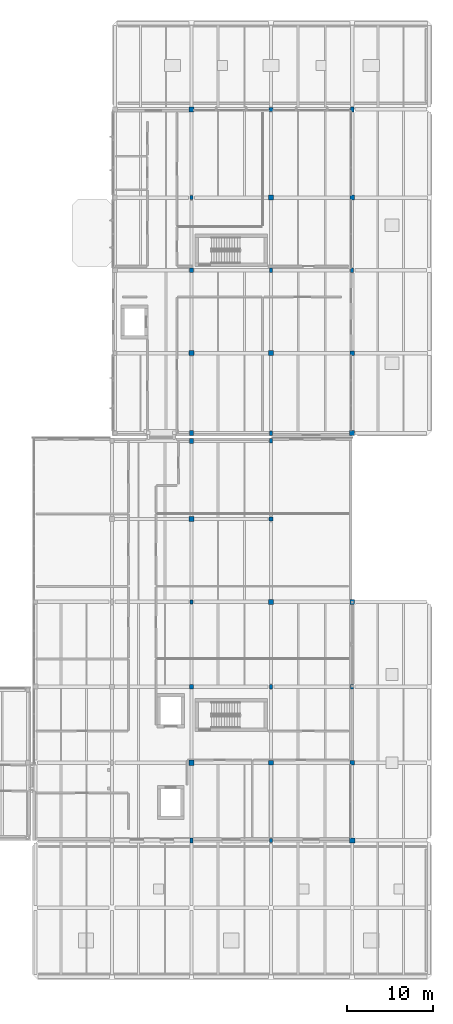
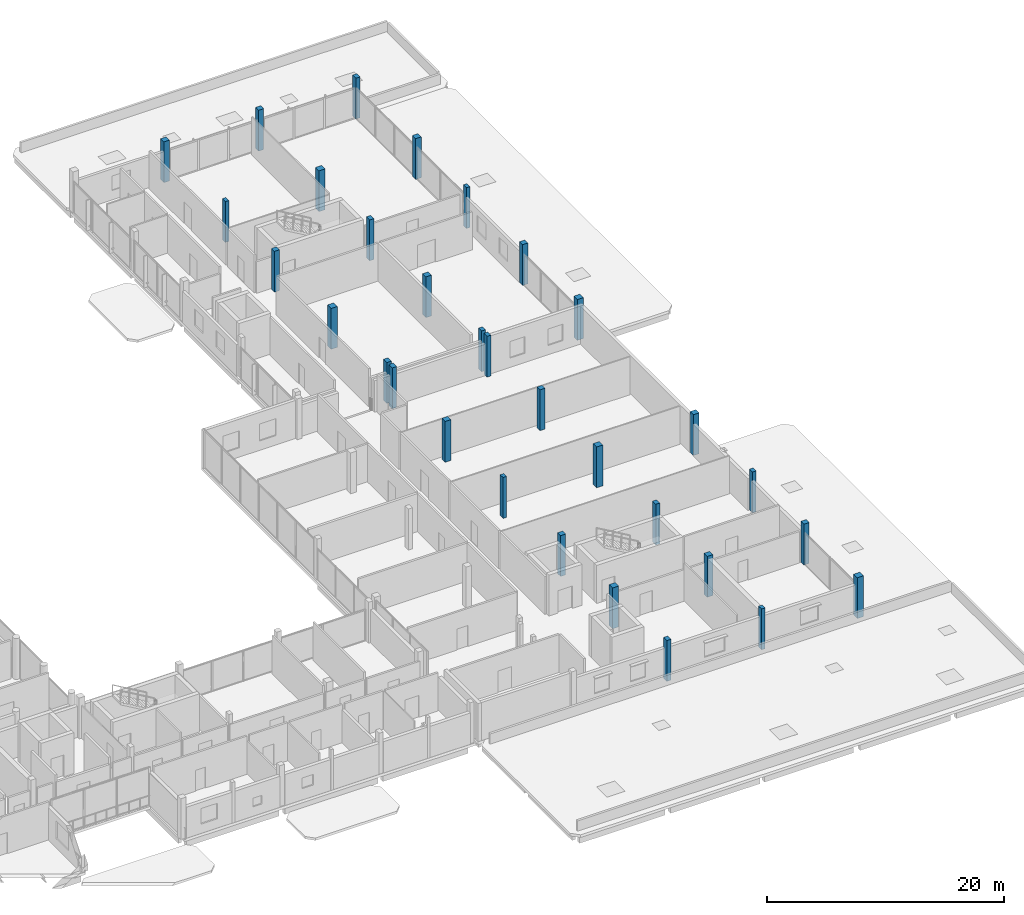
# One storey, part 4 of 66: 31 columns.
"""IFC4 building model written with IfcOpenShell, lengths in metres."""

from ifc_helpers import new_model, si_unit, direction, frame, origin, origin_2d, place, context, subcontext, project, spatial, rectangle, extrude, material, material_profile, profile_set, type_object, element, save


model = new_model("IFC4")

# Units and contexts
model_context = context("Model", 3, precision=1e-05, world=origin(), true_north=direction((0.0, 1.0)))
body_context = subcontext(model_context, "Body", "Model", "MODEL_VIEW")
ifc_project = project(units=[si_unit("LENGTHUNIT", "METRE"), si_unit("AREAUNIT", "SQUARE_METRE"), si_unit("VOLUMEUNIT", "CUBIC_METRE"), si_unit("PLANEANGLEUNIT", "RADIAN"), si_unit("MASSUNIT", "GRAM", prefix="KILO")], contexts=[model_context])

# Site, building, storey
site_placement = place(None, origin())
site = spatial("IfcSite", under=ifc_project, at=site_placement, CompositionType="ELEMENT")
building_placement = place(site_placement, origin())
building = spatial("IfcBuilding", under=site, at=building_placement, Name="Birchvale Park Specialist Clinic", CompositionType="ELEMENT")
storey_placement = place(building_placement, frame((0.0, 0.0, 5.39990234375)))
storey = spatial("IfcBuildingStorey", under=building, at=storey_placement, Name="L01", CompositionType="ELEMENT", Elevation=5.39990234375)

# Columns
ifc_material = material(Name="Concrete C40/50", Category="concrete")
ifc_material_profile_1 = material_profile(ifc_material, rectangle(XDim=0.580078125, YDim=0.580078125, at=origin_2d()), Name="RC-580x580")
ifc_profile_set_1 = profile_set([ifc_material_profile_1], Name="Concrete C40/50")
column_type_1 = type_object("IfcColumnType", Name="COL-EXT-C03", PredefinedType="COLUMN", material=ifc_profile_set_1)
column_placement = place(storey_placement, frame((155.800048828125, 63.949951171875, 0.0), z_axis=(0.0, 0.0, 1.0), x_axis=(1.0, 0.0, 0.0)))
element("IfcColumn", 1, at=column_placement, inside=storey, type_object=column_type_1, Name="V6 L01 column 16", PredefinedType="COLUMN", context=body_context, shape_type="SweptSolid", body=[
    extrude(rectangle(XDim=0.580078125, YDim=0.580078125, at=origin_2d()), origin(), (0.0, 0.0, 1.0), 4.2001953125),
])
ifc_material_profile_2 = material_profile(ifc_material, rectangle(XDim=0.419921875, YDim=0.580078125, at=origin_2d()), Name="RC-420x580")
ifc_profile_set_2 = profile_set([ifc_material_profile_2], Name="Concrete C40/50")
column_type_2 = type_object("IfcColumnType", Name="COL-EXT-C10", PredefinedType="COLUMN", material=ifc_profile_set_2)
for number, where, z_axis, x_axis, name in (
    (2, (137.199951171875, 63.050048828125, 0.0), (0.0, 0.0, 1.0), (1.0, 0.0, 0.0), "V5 L01 column 14"),
    (3, (137.199951171875, 63.949951171875, 0.0), (0.0, 0.0, 1.0), (1.0, 0.0, 0.0), "V6 L01 column 6"),
):
    element("IfcColumn", number, at=place(storey_placement, frame(where, z_axis=z_axis, x_axis=x_axis)), inside=storey, type_object=column_type_2, Name=name, PredefinedType="COLUMN", context=body_context, shape_type="SweptSolid", body=[
        extrude(rectangle(XDim=0.419921875, YDim=0.580078125, at=origin_2d()), origin(), (0.0, 0.0, 1.0), 4.2001953125),
    ])
ifc_material_profile_3 = material_profile(ifc_material, rectangle(XDim=0.3701171875, YDim=0.52001953125, at=origin_2d()), Name="RC-370x520")
ifc_profile_set_3 = profile_set([ifc_material_profile_3], Name="Concrete C40/50")
column_type_3 = type_object("IfcColumnType", Name="COL-EXT-C11", PredefinedType="COLUMN", material=ifc_profile_set_3)
for number, where, z_axis, x_axis, name in (
    (4, (146.39990234375, 63.050048828125, 0.0), (0.0, 0.0, 1.0), (1.0, 0.0, 0.0), "V5 L01 column 20"),
    (5, (146.39990234375, 63.949951171875, 0.0), (0.0, 0.0, 1.0), (1.0, 0.0, 0.0), "V6 L01 column 11"),
):
    element("IfcColumn", number, at=place(storey_placement, frame(where, z_axis=z_axis, x_axis=x_axis)), inside=storey, type_object=column_type_3, Name=name, PredefinedType="COLUMN", context=body_context, shape_type="SweptSolid", body=[
        extrude(rectangle(XDim=0.3701171875, YDim=0.52001953125, at=origin_2d()), origin(), (0.0, 0.0, 1.0), 4.2001953125),
    ])
ifc_material_profile_4 = material_profile(ifc_material, rectangle(XDim=0.60009765625, YDim=0.60009765625, at=origin_2d()), Name="RC-600x600")
ifc_profile_set_4 = profile_set([ifc_material_profile_4], Name="Concrete C40/50")
column_type_4 = type_object("IfcColumnType", Name="COL-INT-C03", PredefinedType="COLUMN", material=ifc_profile_set_4)
for number, where, z_axis, x_axis, name in (
    (6, (137.199951171875, 25.800048828125, 0.0), (0.0, 0.0, 1.0), (1.0, 0.0, 0.0), "V5 L01 column 10"),
    (7, (146.39990234375, 44.39990234375, 0.0), (0.0, 0.0, 1.0), (1.0, 0.0, 0.0), "V5 L01 column 18"),
    (8, (155.800048828125, 16.800048828125, 0.0), (0.0, 0.0, 1.0), (1.0, 0.0, 0.0), "V5 L01 column 21"),
    (9, (137.199951171875, 73.199951171875, 0.0), (0.0, 0.0, 1.0), (1.0, 0.0, 0.0), "V6 L01 column 7"),
    (10, (146.39990234375, 91.199951171875, 0.0), (0.0, 0.0, 1.0), (1.0, 0.0, 0.0), "V6 L01 column 14"),
):
    element("IfcColumn", number, at=place(storey_placement, frame(where, z_axis=z_axis, x_axis=x_axis)), inside=storey, type_object=column_type_4, Name=name, PredefinedType="COLUMN", context=body_context, shape_type="SweptSolid", body=[
        extrude(rectangle(XDim=0.60009765625, YDim=0.60009765625, at=origin_2d()), origin(), (0.0, 0.0, 1.0), 4.2001953125),
    ])
ifc_material_profile_5 = material_profile(ifc_material, rectangle(XDim=0.550048828125, YDim=0.550048828125, at=origin_2d()), Name="RC-550x550")
ifc_profile_set_5 = profile_set([ifc_material_profile_5], Name="Concrete C40/50")
column_type_5 = type_object("IfcColumnType", Name="COL-INT-C04", PredefinedType="COLUMN", material=ifc_profile_set_5)
for number, where, z_axis, x_axis, name in (
    (11, (137.199951171875, 54.0, 0.0), (0.0, 0.0, 1.0), (1.0, 0.0, 0.0), "V5 L01 column 13"),
    (12, (146.39990234375, 25.800048828125, 0.0), (0.0, 0.0, 1.0), (1.0, 0.0, 0.0), "V5 L01 column 16"),
    (13, (155.800048828125, 44.39990234375, 0.0), (0.0, 0.0, 1.0), (1.0, 0.0, 0.0), "V5 L01 column 24"),
    (14, (137.199951171875, 101.39990234375, 0.0), (0.0, 0.0, 1.0), (1.0, 0.0, 0.0), "V6 L01 column 10"),
    (15, (146.39990234375, 73.199951171875, 0.0), (0.0, 0.0, 1.0), (1.0, 0.0, 0.0), "V6 L01 column 12"),
    (16, (155.800048828125, 91.199951171875, 0.0), (0.0, 0.0, 1.0), (1.0, 0.0, 0.0), "V6 L01 column 19"),
):
    element("IfcColumn", number, at=place(storey_placement, frame(where, z_axis=z_axis, x_axis=x_axis)), inside=storey, type_object=column_type_5, Name=name, PredefinedType="COLUMN", context=body_context, shape_type="SweptSolid", body=[
        extrude(rectangle(XDim=0.550048828125, YDim=0.550048828125, at=origin_2d()), origin(), (0.0, 0.0, 1.0), 4.2001953125),
    ])
ifc_material_profile_6 = material_profile(ifc_material, rectangle(XDim=0.5, YDim=0.5, at=origin_2d()), Name="RC-500x500")
ifc_profile_set_6 = profile_set([ifc_material_profile_6], Name="Concrete C40/50")
column_type_6 = type_object("IfcColumnType", Name="COL-INT-C05", PredefinedType="COLUMN", material=ifc_profile_set_6)
for number, where, z_axis, x_axis, name in (
    (17, (137.199951171875, 34.60009765625, 0.0), (0.0, 0.0, 1.0), (1.0, 0.0, 0.0), "V5 L01 column 11"),
    (18, (146.39990234375, 54.0, 0.0), (0.0, 0.0, 1.0), (1.0, 0.0, 0.0), "V5 L01 column 19"),
    (19, (155.800048828125, 25.800048828125, 0.0), (0.0, 0.0, 1.0), (1.0, 0.0, 0.0), "V5 L01 column 22"),
    (20, (137.199951171875, 82.800048828125, 0.0), (0.0, 0.0, 1.0), (1.0, 0.0, 0.0), "V6 L01 column 8"),
    (21, (146.39990234375, 101.39990234375, 0.0), (0.0, 0.0, 1.0), (1.0, 0.0, 0.0), "V6 L01 column 15"),
    (22, (155.800048828125, 73.199951171875, 0.0), (0.0, 0.0, 1.0), (1.0, 0.0, 0.0), "V6 L01 column 17"),
):
    element("IfcColumn", number, at=place(storey_placement, frame(where, z_axis=z_axis, x_axis=x_axis)), inside=storey, type_object=column_type_6, Name=name, PredefinedType="COLUMN", context=body_context, shape_type="SweptSolid", body=[
        extrude(rectangle(XDim=0.5, YDim=0.5, at=origin_2d()), origin(), (0.0, 0.0, 1.0), 4.2001953125),
    ])
ifc_material_profile_7 = material_profile(ifc_material, rectangle(XDim=0.39990234375, YDim=0.550048828125, at=origin_2d()), Name="RC-400x550")
ifc_profile_set_7 = profile_set([ifc_material_profile_7], Name="Concrete C40/50")
column_type_7 = type_object("IfcColumnType", Name="COL-INT-C10", PredefinedType="COLUMN", material=ifc_profile_set_7)
for number, where, z_axis, x_axis, name in (
    (23, (137.199951171875, 16.800048828125, 0.0), (0.0, 0.0, 1.0), (1.0, 0.0, 0.0), "V5 L01 column 9"),
    (24, (146.39990234375, 34.60009765625, 0.0), (0.0, 0.0, 1.0), (1.0, 0.0, 0.0), "V5 L01 column 17"),
    (25, (146.39990234375, 82.800048828125, 0.0), (0.0, 0.0, 1.0), (1.0, 0.0, 0.0), "V6 L01 column 13"),
    (26, (155.800048828125, 101.39990234375, 0.0), (0.0, 0.0, 1.0), (1.0, 0.0, 0.0), "V6 L01 column 20"),
):
    element("IfcColumn", number, at=place(storey_placement, frame(where, z_axis=z_axis, x_axis=x_axis)), inside=storey, type_object=column_type_7, Name=name, PredefinedType="COLUMN", context=body_context, shape_type="SweptSolid", body=[
        extrude(rectangle(XDim=0.39990234375, YDim=0.550048828125, at=origin_2d()), origin(), (0.0, 0.0, 1.0), 4.2001953125),
    ])
ifc_material_profile_8 = material_profile(ifc_material, rectangle(XDim=0.35009765625, YDim=0.5, at=origin_2d()), Name="RC-350x500")
ifc_profile_set_8 = profile_set([ifc_material_profile_8], Name="Concrete C40/50")
column_type_8 = type_object("IfcColumnType", Name="COL-INT-C11", PredefinedType="COLUMN", material=ifc_profile_set_8)
for number, where, z_axis, x_axis, name in (
    (27, (137.199951171875, 44.39990234375, 0.0), (0.0, 0.0, 1.0), (1.0, 0.0, 0.0), "V5 L01 column 12"),
    (28, (146.39990234375, 16.800048828125, 0.0), (0.0, 0.0, 1.0), (1.0, 0.0, 0.0), "V5 L01 column 15"),
    (29, (155.800048828125, 34.60009765625, 0.0), (0.0, 0.0, 1.0), (1.0, 0.0, 0.0), "V5 L01 column 23"),
    (30, (137.199951171875, 91.199951171875, 0.0), (0.0, 0.0, 1.0), (1.0, 0.0, 0.0), "V6 L01 column 9"),
    (31, (155.800048828125, 82.800048828125, 0.0), (0.0, 0.0, 1.0), (1.0, 0.0, 0.0), "V6 L01 column 18"),
):
    element("IfcColumn", number, at=place(storey_placement, frame(where, z_axis=z_axis, x_axis=x_axis)), inside=storey, type_object=column_type_8, Name=name, PredefinedType="COLUMN", context=body_context, shape_type="SweptSolid", body=[
        extrude(rectangle(XDim=0.35009765625, YDim=0.5, at=origin_2d()), origin(), (0.0, 0.0, 1.0), 4.2001953125),
    ])

save(model, "model.ifc")
